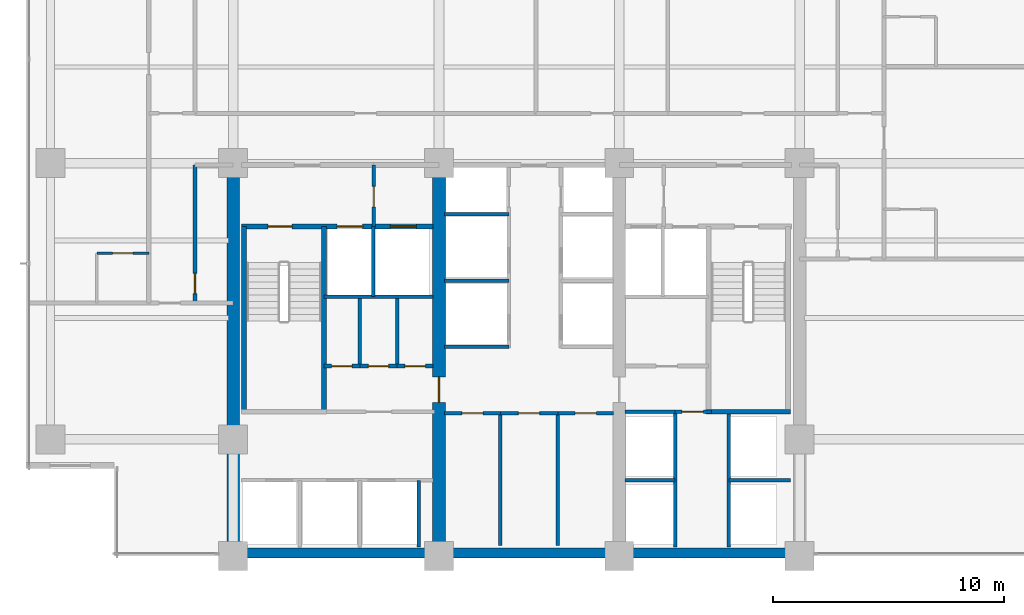
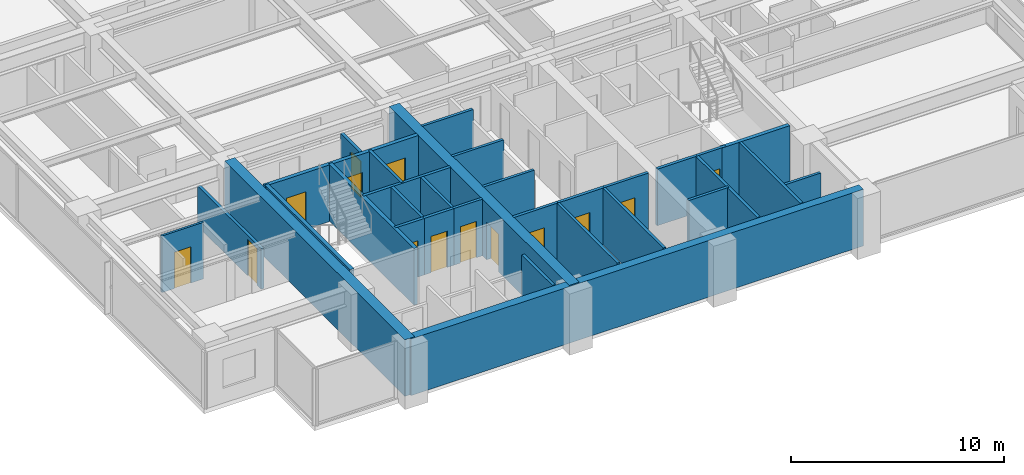
# One storey, part 8 of 16: 32 walls, 14 doors, 14 openings.
"""IFC4 building model written with IfcOpenShell, lengths in metres."""

import ifcopenshell
import ifcopenshell.guid

model = None  # the IFC model being written
_history = None  # IfcOwnerHistory: only IFC2X3 demands one
_inside = {}  # id of a spatial element -> (the spatial element, [elements in it])
_under = {}  # id of a project, library or spatial element -> (it, [spatial elements below it])
_declared = {}  # id of a project -> (the project, [libraries it declares])
_typed = {}  # id of a type object -> (the type object, [elements of that type])
_made_of = {}  # id of a material, layer set ... -> (it, [elements and type objects made of it])


def new_model(schema):
    """Start an empty IFC model of exactly this schema.

    Asked for "IFC4X3", IfcOpenShell would pick the latest addendum, in which some entities
    have other attributes; the version numbers below select the first issue.
    IFC2X3 requires an IfcOwnerHistory on every rooted entity: one is made here for all.
    """
    global model, _history
    if schema == "IFC4X3":
        model = ifcopenshell.file(schema_version=(4, 3, 0, 0))
    else:
        model = ifcopenshell.file(schema=schema)
    _inside.clear()
    _under.clear()
    _declared.clear()
    _typed.clear()
    _made_of.clear()
    _history = None
    if model.schema == "IFC2X3":
        org = make("IfcOrganization", Name="unknown")
        user = make(
            "IfcPersonAndOrganization",
            ThePerson=make("IfcPerson", FamilyName="unknown"),
            TheOrganization=org,
        )
        app = make(
            "IfcApplication",
            ApplicationDeveloper=org,
            Version="unknown",
            ApplicationFullName="unknown",
            ApplicationIdentifier="unknown",
        )
        _history = make(
            "IfcOwnerHistory",
            OwningUser=user,
            OwningApplication=app,
            ChangeAction="ADDED",
            CreationDate=0,
        )
    return model


def make(cls, **values):
    """One entity of the class cls with the attributes given. An attribute that is None is left unset."""
    return model.create_entity(
        cls, **{name: value for name, value in values.items() if value is not None}
    )


def rooted(cls, **values):
    """An entity with a GlobalId (a new one), such as an element, a storey or a relation."""
    return make(cls, GlobalId=ifcopenshell.guid.new(), OwnerHistory=_history, **values)


def si_unit(unit_type, name, prefix=None):
    """IfcSIUnit, for example si_unit("LENGTHUNIT", "METRE", prefix="MILLI")."""
    return make("IfcSIUnit", UnitType=unit_type, Prefix=prefix, Name=name)


def assignment(units):
    """IfcUnitAssignment: the units of a project."""
    return None if units is None else make("IfcUnitAssignment", Units=units)


def point(xyz):
    """IfcCartesianPoint."""
    return None if xyz is None else make("IfcCartesianPoint", Coordinates=xyz)


def direction(xyz):
    """IfcDirection."""
    return None if xyz is None else make("IfcDirection", DirectionRatios=xyz)


def frame(location, z_axis=None, x_axis=None):
    """IfcAxis2Placement3D, a coordinate frame: its origin and axes. An axis left out is left unset."""
    return make(
        "IfcAxis2Placement3D",
        Location=point(location),
        Axis=direction(z_axis),
        RefDirection=direction(x_axis),
    )


def frame_2d(location, x_axis=None):
    """IfcAxis2Placement2D, a coordinate frame in the plane: its origin and x axis."""
    return make(
        "IfcAxis2Placement2D", Location=point(location), RefDirection=direction(x_axis)
    )


def origin():
    """The frame at (0, 0, 0) with its axes left unset."""
    return frame((0.0, 0.0, 0.0))


def place(relative_to, where):
    """IfcLocalPlacement: puts the frame where relative to a parent placement (None: the world)."""
    return make(
        "IfcLocalPlacement", PlacementRelTo=relative_to, RelativePlacement=where
    )


def context(
    kind, dimensions, precision=None, world=None, true_north=None, identifier=None
):
    """IfcGeometricRepresentationContext, for example the 3D "Model" context."""
    return make(
        "IfcGeometricRepresentationContext",
        ContextIdentifier=identifier,
        ContextType=kind,
        CoordinateSpaceDimension=dimensions,
        Precision=precision,
        WorldCoordinateSystem=world,
        TrueNorth=true_north,
    )


def subcontext(parent, identifier, kind, view, scale=None):
    """IfcGeometricRepresentationSubContext, for example "Body" below "Model"."""
    return make(
        "IfcGeometricRepresentationSubContext",
        ContextIdentifier=identifier,
        ContextType=kind,
        ParentContext=parent,
        TargetScale=scale,
        TargetView=view,
    )


def project(units=None, contexts=None):
    """IfcProject with its units and contexts."""
    return rooted(
        "IfcProject",
        Name="project",
        RepresentationContexts=contexts,
        UnitsInContext=assignment(units),
    )


def spatial(cls, under=None, at=None, **own):
    """A site, building, storey or space (cls), placed at a placement, below another one or the project."""
    s = rooted(cls, ObjectPlacement=at, **own)
    if under is not None:
        _under.setdefault(under.id(), (under, []))[1].append(s)
    return s


def profile(cls, at=None, kind="AREA", **sizes):
    """A parametric profile (cls). Its sizes go by their IFC names, for example OverallWidth=200.0."""
    return make(cls, ProfileType=kind, Position=at, **sizes)


def rectangle(**sizes):
    """IfcRectangleProfileDef."""
    return profile("IfcRectangleProfileDef", **sizes)


def extrude(swept, where, along, depth):
    """IfcExtrudedAreaSolid: the profile swept, set in the frame where, extruded along a direction by depth."""
    return make(
        "IfcExtrudedAreaSolid",
        SweptArea=swept,
        Position=where,
        ExtrudedDirection=direction(along),
        Depth=depth,
    )


def shape(context_of_items, identifier, shape_type, items):
    """IfcShapeRepresentation: the items that make up one representation, for example the "Body"."""
    return make(
        "IfcShapeRepresentation",
        ContextOfItems=context_of_items,
        RepresentationIdentifier=identifier,
        RepresentationType=shape_type,
        Items=items,
    )


def material(Name=None, Category=None):
    """IfcMaterial."""
    return make("IfcMaterial", Name=Name, Category=Category)


def layer(
    of_material, thickness, ventilated=None, Name=None, Category=None, Priority=None
):
    """IfcMaterialLayer: one layer of a wall or slab, of a material (None: an air gap)."""
    return make(
        "IfcMaterialLayer",
        Material=of_material,
        LayerThickness=thickness,
        IsVentilated=ventilated,
        Name=Name,
        Category=Category,
        Priority=Priority,
    )


def layer_set(layers, Name=None):
    """IfcMaterialLayerSet."""
    return make("IfcMaterialLayerSet", MaterialLayers=layers, LayerSetName=Name)


def made_of(thing, what):
    """Note that an element or type object is made of a material, layer set ...; save() writes the relation."""
    if what is not None:
        _made_of.setdefault(what.id(), (what, []))[1].append(thing)
    return thing


def type_object(cls, material=None, **own):
    """A type object (cls), such as IfcWallType, which elements share."""
    return made_of(rooted(cls, **own), material)


def element(
    cls,
    number,
    at=None,
    inside=None,
    cuts=None,
    type_object=None,
    material=None,
    context=None,
    identifier="Body",
    shape_type=None,
    held_by="IfcProductDefinitionShape",
    body=None,
    shapes=None,
    **own,
):
    """One element of the class cls, such as IfcWall. Its Tag is "e" and its number.

    at: its placement. inside: the storey or other place that contains it. cuts: it is an
    opening in that element (IfcRelVoidsElement). A single representation is given by context,
    identifier, shape_type and body (its items); several are given by shapes. held_by: the class
    of the entity that holds the representations. save() writes the other relations.
    """
    e = rooted(cls, Tag="e%d" % number, ObjectPlacement=at, **own)
    if body is not None:
        shapes = [shape(context, identifier, shape_type, body)]
    if shapes is not None:
        e.Representation = make(held_by, Representations=shapes)
    if inside is not None:
        _inside.setdefault(inside.id(), (inside, []))[1].append(e)
    if cuts is not None:
        rooted(
            "IfcRelVoidsElement", RelatingBuildingElement=cuts, RelatedOpeningElement=e
        )
    if type_object is not None:
        _typed.setdefault(type_object.id(), (type_object, []))[1].append(e)
    return made_of(e, material)


def fill(opening, filler):
    """IfcRelFillsElement: the door or window that sits in an opening."""
    return rooted(
        "IfcRelFillsElement",
        RelatingOpeningElement=opening,
        RelatedBuildingElement=filler,
    )


def aggregate(whole, parts):
    """IfcRelAggregates: a whole, such as a stair, and the parts it consists of."""
    return rooted("IfcRelAggregates", RelatingObject=whole, RelatedObjects=parts)


def save(model, path):
    """Write the relations noted so far, then the file.

    IfcRelAggregates (storeys below a building ...), IfcRelContainedInSpatialStructure (elements
    in a storey), IfcRelDefinesByType, IfcRelAssociatesMaterial and IfcRelDeclares: one each for
    every whole, place, type object, material and project.
    """
    for whole, parts in _under.values():
        aggregate(whole, parts)
    for where, things in _inside.values():
        rooted(
            "IfcRelContainedInSpatialStructure",
            RelatedElements=things,
            RelatingStructure=where,
        )
    for kind, things in _typed.values():
        rooted("IfcRelDefinesByType", RelatedObjects=things, RelatingType=kind)
    for what, things in _made_of.values():
        rooted("IfcRelAssociatesMaterial", RelatedObjects=things, RelatingMaterial=what)
    for by, libraries in _declared.values():
        rooted("IfcRelDeclares", RelatingContext=by, RelatedDefinitions=libraries)
    model.write(path)


model = new_model("IFC4")

# Units and contexts
model_context = context("Model", 3, precision=1e-05, world=origin(), true_north=direction((0.0, 1.0)))
body_context = subcontext(model_context, "Body", "Model", "MODEL_VIEW")
ifc_project = project(units=[si_unit("LENGTHUNIT", "METRE"), si_unit("AREAUNIT", "SQUARE_METRE"), si_unit("VOLUMEUNIT", "CUBIC_METRE"), si_unit("PLANEANGLEUNIT", "RADIAN"), si_unit("MASSUNIT", "GRAM", prefix="KILO")], contexts=[model_context])

# Site, building, storey
site_placement = place(None, origin())
site = spatial("IfcSite", under=ifc_project, at=site_placement, CompositionType="ELEMENT")
building_placement = place(site_placement, origin())
building = spatial("IfcBuilding", under=site, at=building_placement, Name="Qalmaran Belvedere Hotel", CompositionType="ELEMENT")
storey_placement = place(building_placement, frame((0.0, 0.0, 123.199951171875)))
storey = spatial("IfcBuildingStorey", under=building, at=storey_placement, Name="L31", CompositionType="ELEMENT", Elevation=123.199951171875)

# Wall
ifc_material_1 = material(Name="Concrete C60/75", Category="concrete")
ifc_layer_1 = layer(ifc_material_1, 0.550048828125, Name="Concrete C60/75")
ifc_layer_set_1 = layer_set([ifc_layer_1], Name="Concrete C60/75")
wall_type_1 = type_object("IfcWallType", Name="WL-CORE-550-C60", PredefinedType="SHEAR", material=ifc_layer_set_1)
wall_1_placement = place(storey_placement, frame((20.300048828125, 3.5, 0.0), z_axis=(0.0, 0.0, 1.0), x_axis=(0.0, 1.0, 0.0)))
element("IfcWall", 1, at=wall_1_placement, inside=storey, type_object=wall_type_1, Name="L31 West Core Shear Wall", PredefinedType="SHEAR", context=body_context, shape_type="SweptSolid", body=[
    extrude(rectangle(XDim=16.89990234375, YDim=0.550048828125, at=frame_2d((8.449951171875, 0.0))), origin(), (0.0, 0.0, 1.0), 3.239990234375),
])

# Wall, opening, door
wall_2_placement = place(storey_placement, frame((29.199951171875, 3.5, 0.0), z_axis=(0.0, 0.0, 1.0), x_axis=(0.0, 1.0, 0.0)))
wall_2 = element("IfcWall", 2, at=wall_2_placement, inside=storey, type_object=wall_type_1, Name="L31 Core West Spine Shear Wall", PredefinedType="SHEAR", context=body_context, shape_type="SweptSolid", body=[
    extrude(rectangle(XDim=16.89990234375, YDim=0.550048828125, at=frame_2d((8.449951171875, 0.0))), origin(), (0.0, 0.0, 1.0), 3.239990234375),
])
opening_1_placement = place(wall_2_placement, frame((7.75, 0.0, 0.0), z_axis=(0.0, 0.0, 1.0), x_axis=(-1.0, 0.0, 0.0)))
opening_1 = element("IfcOpeningElement", 3, at=opening_1_placement, cuts=wall_2, Name="Opening FD90", PredefinedType="OPENING", context=body_context, shape_type="SweptSolid", body=[
    extrude(rectangle(XDim=1.10009765625, YDim=2.14990234375, at=frame_2d((0.550048828125, 1.074951171875))), frame((0.0, 0.28515625, 0.0), z_axis=(0.0, -1.0, 0.0), x_axis=(1.0, 0.0, 0.0)), (0.0, 0.0, 1.0), 0.570068359375),
])
ifc_material_2 = material(Name="Steel S355JR", Category="steel")
door_type_1 = type_object("IfcDoorType", Name="DR-FD90-1100X2150", OperationType="NOTDEFINED", PredefinedType="DOOR", material=ifc_material_2)
door_1_placement = place(opening_1_placement, origin())
door_1 = element("IfcDoor", 4, at=door_1_placement, inside=storey, type_object=door_type_1, Name="L31 Core West Cross-Lobby Door", OperationType="SINGLE_SWING_LEFT", OverallHeight=2.14990234375, OverallWidth=1.10009765625, PredefinedType="DOOR", context=body_context, shape_type="SweptSolid", body=[
    extrude(rectangle(XDim=1.10009765625, YDim=2.14990234375, at=frame_2d((0.550048828125, 1.074951171875))), frame((0.0, 0.02490234375, 0.0), z_axis=(0.0, -1.0, 0.0), x_axis=(1.0, 0.0, 0.0)), (0.0, 0.0, 1.0), 0.050048828125),
])
fill(opening_1, door_1)

# Wall
ifc_material_3 = material(Name="Concrete C50/60", Category="concrete")
ifc_layer_2 = layer(ifc_material_3, 0.43994140625, Name="Concrete C50/60")
ifc_layer_set_2 = layer_set([ifc_layer_2], Name="Concrete C50/60")
wall_type_2 = type_object("IfcWallType", Name="WL-CORES-440-EXT", PredefinedType="SHEAR", material=ifc_layer_set_2)
wall_3_placement = place(storey_placement, frame((20.300048828125, 3.6298828125, 0.0), z_axis=(0.0, 0.0, 1.0), x_axis=(1.0, 0.0, 0.0)))
element("IfcWall", 5, at=wall_3_placement, inside=storey, type_object=wall_type_2, Name="L31 South Core Shear Wall", PredefinedType="SHEAR", context=body_context, shape_type="SweptSolid", body=[
    extrude(rectangle(XDim=24.5, YDim=0.43994140625, at=frame_2d((12.25, 0.0))), origin(), (0.0, 0.0, 1.0), 3.239990234375),
])

# Wall, opening, door
ifc_material_4 = material(Name="Moisture-Resistant Gypsum")
ifc_layer_3 = layer(ifc_material_4, 0.1201171875, Name="Moisture-Resistant Gypsum")
ifc_layer_set_3 = layer_set([ifc_layer_3], Name="Moisture-Resistant Gypsum")
wall_type_3 = type_object("IfcWallType", Name="WL-INT-120-BATH", PredefinedType="PARTITIONING", material=ifc_layer_set_3)
wall_4_placement = place(storey_placement, frame((14.39990234375, 16.60009765625, 0.0), z_axis=(0.0, 0.0, 1.0), x_axis=(1.0, 0.0, 0.0)))
wall_4 = element("IfcWall", 6, at=wall_4_placement, inside=storey, type_object=wall_type_3, Name="L31 Partition WL-L31-WBN00", PredefinedType="PARTITIONING", context=body_context, shape_type="SweptSolid", body=[
    extrude(rectangle(XDim=2.25, YDim=0.1201171875, at=frame_2d((1.125, 0.0))), origin(), (0.0, 0.0, 1.0), 3.239990234375),
])
opening_2_placement = place(wall_4_placement, frame((1.56494140625, 0.0, 0.0), z_axis=(0.0, 0.0, 1.0), x_axis=(-1.0, 0.0, 0.0)))
opening_2 = element("IfcOpeningElement", 7, at=opening_2_placement, cuts=wall_4, Name="Opening D-BATH", PredefinedType="OPENING", context=body_context, shape_type="SweptSolid", body=[
    extrude(rectangle(XDim=0.8798828125, YDim=2.080078125, at=frame_2d((0.43994140625, 1.0400390625))), frame((0.0, 0.070068359375, 0.0), z_axis=(0.0, -1.0, 0.0), x_axis=(1.0, 0.0, 0.0)), (0.0, 0.0, 1.0), 0.14013671875),
])
ifc_material_5 = material(Name="Engineered Oak Veneer")
door_type_2 = type_object("IfcDoorType", Name="DR-INT-BATH-880X2080", OperationType="NOTDEFINED", PredefinedType="DOOR", material=ifc_material_5)
door_2_placement = place(opening_2_placement, origin())
door_2 = element("IfcDoor", 8, at=door_2_placement, inside=storey, type_object=door_type_2, Name="L31 W Ensuite Door 01", OperationType="SINGLE_SWING_RIGHT", OverallHeight=2.080078125, OverallWidth=0.8798828125, PredefinedType="DOOR", context=body_context, shape_type="SweptSolid", body=[
    extrude(rectangle(XDim=0.8798828125, YDim=2.080078125, at=frame_2d((0.43994140625, 1.0400390625))), frame((0.0, 0.02490234375, 0.0), z_axis=(0.0, -1.0, 0.0), x_axis=(1.0, 0.0, 0.0)), (0.0, 0.0, 1.0), 0.050048828125),
])
fill(opening_2, door_2)

# Walls
ifc_material_6 = material(Name="Gypsum Stud Partition")
ifc_layer_4 = layer(ifc_material_6, 0.14990234375, Name="Gypsum Stud Partition")
ifc_layer_set_4 = layer_set([ifc_layer_4], Name="Gypsum Stud Partition")
wall_type_4 = type_object("IfcWallType", Name="WL-INT-150-EI120", PredefinedType="PARTITIONING", material=ifc_layer_set_4)
wall_5_placement = place(storey_placement, frame((26.360107421875, 14.719970703125, 0.0), z_axis=(0.0, 0.0, 1.0), x_axis=(0.0, 1.0, 0.0)))
element("IfcWall", 9, at=wall_5_placement, inside=storey, type_object=wall_type_4, Name="L31 Partition WL-FF1M-L31", PredefinedType="PARTITIONING", context=body_context, shape_type="SweptSolid", body=[
    extrude(rectangle(XDim=3.0400390625, YDim=0.14990234375, at=frame_2d((1.52001953125, 0.0))), origin(), (0.0, 0.0, 1.0), 3.239990234375),
])
wall_6_placement = place(storey_placement, frame((28.320068359375, 3.89990234375, 0.0), z_axis=(0.0, 0.0, 1.0), x_axis=(0.0, 1.0, 0.0)))
element("IfcWall", 10, at=wall_6_placement, inside=storey, type_object=wall_type_4, Name="L31 Partition WL-POM3-L31", PredefinedType="PARTITIONING", context=body_context, shape_type="SweptSolid", body=[
    extrude(rectangle(XDim=2.880126953125, YDim=0.14990234375, at=frame_2d((1.43994140625, 0.0))), origin(), (0.0, 0.0, 1.0), 3.239990234375),
])
wall_7_placement = place(storey_placement, frame((37.25, 6.780029296875, 0.0), z_axis=(0.0, 0.0, 1.0), x_axis=(1.0, 0.0, 0.0)))
element("IfcWall", 11, at=wall_7_placement, inside=storey, type_object=wall_type_4, Name="L31 Partition WL-PHMW-L31", PredefinedType="PARTITIONING", context=body_context, shape_type="SweptSolid", body=[
    extrude(rectangle(XDim=2.169921875, YDim=0.14990234375, at=frame_2d((1.0849609375, 0.0))), origin(), (0.0, 0.0, 1.0), 3.239990234375),
])
wall_8_placement = place(storey_placement, frame((41.739990234375, 6.780029296875, 0.0), z_axis=(0.0, 0.0, 1.0), x_axis=(1.0, 0.0, 0.0)))
element("IfcWall", 12, at=wall_8_placement, inside=storey, type_object=wall_type_4, Name="L31 Partition WL-PHME-L31", PredefinedType="PARTITIONING", context=body_context, shape_type="SweptSolid", body=[
    extrude(rectangle(XDim=2.659912109375, YDim=0.14990234375, at=frame_2d((1.330078125, 0.0))), origin(), (0.0, 0.0, 1.0), 2.31298828125),
])
for number, where, z_axis, x_axis, name in (
    (13, (29.449951171875, 12.550048828125, 0.0), (0.0, 0.0, 1.0), (1.0, 0.0, 0.0), "L31 Partition WL-PMW-L31-125"),
    (14, (29.449951171875, 15.419921875, 0.0), (0.0, 0.0, 1.0), (1.0, 0.0, 0.0), "L31 Partition WL-PMW-L31-154"),
    (15, (29.449951171875, 18.280029296875, 0.0), (0.0, 0.0, 1.0), (1.0, 0.0, 0.0), "L31 Partition WL-PMW-L31-182"),
):
    element("IfcWall", number, at=place(storey_placement, frame(where, z_axis=z_axis, x_axis=x_axis)), inside=storey, type_object=wall_type_4, Name=name, PredefinedType="PARTITIONING", context=body_context, shape_type="SweptSolid", body=[
        extrude(rectangle(XDim=2.77001953125, YDim=0.14990234375, at=frame_2d((1.385009765625, 0.0))), origin(), (0.0, 0.0, 1.0), 3.239990234375),
    ])
ifc_layer_5 = layer(ifc_material_6, 0.14990234375, Name="Gypsum Stud Partition")
ifc_layer_set_5 = layer_set([ifc_layer_5], Name="Gypsum Stud Partition")
wall_type_5 = type_object("IfcWallType", Name="WL-INT-150-EI60", PredefinedType="PARTITIONING", material=ifc_layer_set_5)
for number, where, z_axis, x_axis, name in (
    (16, (25.781005859375, 11.719970703125, 0.0), (0.0, 0.0, 1.0), (0.0, 1.0, 0.0), "L31 Partition WL-L31-KWV1"),
    (17, (27.38916015625, 11.719970703125, 0.0), (0.0, 0.0, 1.0), (0.0, 1.0, 0.0), "L31 Partition WL-L31-KWV2"),
):
    element("IfcWall", number, at=place(storey_placement, frame(where, z_axis=z_axis, x_axis=x_axis)), inside=storey, type_object=wall_type_5, Name=name, PredefinedType="PARTITIONING", context=body_context, shape_type="SweptSolid", body=[
        extrude(rectangle(XDim=2.929931640625, YDim=0.14990234375, at=frame_2d((1.46484375, 0.0))), origin(), (0.0, 0.0, 1.0), 3.239990234375),
    ])
for number, where, z_axis, x_axis, name in (
    (18, (31.85888671875, 3.949951171875, 0.0), (0.0, 0.0, 1.0), (0.0, 1.0, 0.0), "L31 Partition WL-L31-KPLV1"),
    (19, (34.341064453125, 3.949951171875, 0.0), (0.0, 0.0, 1.0), (0.0, 1.0, 0.0), "L31 Partition WL-L31-KPLV2"),
):
    element("IfcWall", number, at=place(storey_placement, frame(where, z_axis=z_axis, x_axis=x_axis)), inside=storey, type_object=wall_type_5, Name=name, PredefinedType="PARTITIONING", context=body_context, shape_type="SweptSolid", body=[
        extrude(rectangle(XDim=5.72998046875, YDim=0.14990234375, at=frame_2d((2.864990234375, 0.0))), origin(), (0.0, 0.0, 1.0), 3.239990234375),
    ])

# Wall, opening, door
ifc_layer_6 = layer(ifc_material_6, 0.159912109375, Name="Gypsum Stud Partition")
ifc_layer_set_6 = layer_set([ifc_layer_6], Name="Gypsum Stud Partition")
wall_type_6 = type_object("IfcWallType", Name="WL-INT-160-EI120", PredefinedType="PARTITIONING", material=ifc_layer_set_6)
wall_9_placement = place(storey_placement, frame((26.3798828125, 17.760009765625, 0.0), z_axis=(0.0, 0.0, 1.0), x_axis=(0.0, 1.0, 0.0)))
wall_9 = element("IfcWall", 20, at=wall_9_placement, inside=storey, type_object=wall_type_6, Name="L31 Partition WL-FFSV1-L31", PredefinedType="PARTITIONING", context=body_context, shape_type="SweptSolid", body=[
    extrude(rectangle(XDim=2.659912109375, YDim=0.159912109375, at=frame_2d((1.330078125, 0.0))), origin(), (0.0, 0.0, 1.0), 2.614013671875),
])
opening_3_placement = place(wall_9_placement, frame((0.85009765625, 0.0, 0.0)))
opening_3 = element("IfcOpeningElement", 21, at=opening_3_placement, cuts=wall_9, Name="Opening FD60B", PredefinedType="OPENING", context=body_context, shape_type="SweptSolid", body=[
    extrude(rectangle(XDim=0.8798828125, YDim=2.080078125, at=frame_2d((0.43994140625, 1.0400390625))), frame((0.0, 0.08984375, 0.0), z_axis=(0.0, -1.0, 0.0), x_axis=(1.0, 0.0, 0.0)), (0.0, 0.0, 1.0), 0.179931640625),
])
door_type_3 = type_object("IfcDoorType", Name="DR-FD60B-880X2080", OperationType="NOTDEFINED", PredefinedType="DOOR", material=ifc_material_2)
door_3_placement = place(opening_3_placement, origin())
door_3 = element("IfcDoor", 22, at=door_3_placement, inside=storey, type_object=door_type_3, Name="L31 Service Lobby West Door", OperationType="SINGLE_SWING_LEFT", OverallHeight=2.080078125, OverallWidth=0.8798828125, PredefinedType="DOOR", context=body_context, shape_type="SweptSolid", body=[
    extrude(rectangle(XDim=0.8798828125, YDim=2.080078125, at=frame_2d((0.43994140625, 1.0400390625))), frame((0.0, 0.02490234375, 0.0), z_axis=(0.0, -1.0, 0.0), x_axis=(1.0, 0.0, 0.0)), (0.0, 0.0, 1.0), 0.050048828125),
])
fill(opening_3, door_3)

# Walls
wall_10_placement = place(storey_placement, frame((24.219970703125, 14.719970703125, 0.0), z_axis=(0.0, 0.0, 1.0), x_axis=(1.0, 0.0, 0.0)))
element("IfcWall", 23, at=wall_10_placement, inside=storey, type_object=wall_type_6, Name="L31 Partition WL-FF1S-L31", PredefinedType="PARTITIONING", context=body_context, shape_type="SweptSolid", body=[
    extrude(rectangle(XDim=4.72998046875, YDim=0.159912109375, at=frame_2d((2.364990234375, 0.0))), origin(), (0.0, 0.0, 1.0), 3.239990234375),
])
for number, where, z_axis, x_axis, name in (
    (24, (39.419921875, 3.89990234375, 0.0), (0.0, 0.0, 1.0), (0.0, 1.0, 0.0), "L31 Partition WL-PHW-L31"),
    (25, (41.739990234375, 3.89990234375, 0.0), (0.0, 0.0, 1.0), (0.0, 1.0, 0.0), "L31 Partition WL-PHE-L31"),
):
    element("IfcWall", number, at=place(storey_placement, frame(where, z_axis=z_axis, x_axis=x_axis)), inside=storey, type_object=wall_type_6, Name=name, PredefinedType="PARTITIONING", context=body_context, shape_type="SweptSolid", body=[
        extrude(rectangle(XDim=5.840087890625, YDim=0.159912109375, at=frame_2d((2.919921875, 0.0))), origin(), (0.0, 0.0, 1.0), 3.239990234375),
    ])
wall_11_placement = place(storey_placement, frame((37.25, 9.739990234375, 0.0), z_axis=(0.0, 0.0, 1.0), x_axis=(1.0, 0.0, 0.0)))
element("IfcWall", 26, at=wall_11_placement, inside=storey, type_object=wall_type_6, Name="L31 Partition WL-PHNW-L31", PredefinedType="PARTITIONING", context=body_context, shape_type="SweptSolid", body=[
    extrude(rectangle(XDim=2.169921875, YDim=0.159912109375, at=frame_2d((1.0849609375, 0.0))), origin(), (0.0, 0.0, 1.0), 3.239990234375),
])

# Wall, opening, door
wall_12_placement = place(storey_placement, frame((39.419921875, 9.739990234375, 0.0), z_axis=(0.0, 0.0, 1.0), x_axis=(1.0, 0.0, 0.0)))
wall_12 = element("IfcWall", 27, at=wall_12_placement, inside=storey, type_object=wall_type_6, Name="L31 Partition WL-PHNL-L31", PredefinedType="PARTITIONING", context=body_context, shape_type="SweptSolid", body=[
    extrude(rectangle(XDim=1.56005859375, YDim=0.159912109375, at=frame_2d((0.780029296875, 0.0))), origin(), (0.0, 0.0, 1.0), 3.239990234375),
])
opening_4_placement = place(wall_12_placement, frame((0.300048828125, 0.0, 0.0)))
opening_4 = element("IfcOpeningElement", 28, at=opening_4_placement, cuts=wall_12, Name="Opening FD60S1", PredefinedType="OPENING", context=body_context, shape_type="SweptSolid", body=[
    extrude(rectangle(XDim=0.919921875, YDim=2.080078125, at=frame_2d((0.4599609375, 1.0400390625))), frame((0.0, 0.08984375, 0.0), z_axis=(0.0, -1.0, 0.0), x_axis=(1.0, 0.0, 0.0)), (0.0, 0.0, 1.0), 0.179931640625),
])
door_type_4 = type_object("IfcDoorType", Name="DR-FD60S-920X2080", OperationType="NOTDEFINED", PredefinedType="DOOR", material=ifc_material_5)
door_4_placement = place(opening_4_placement, origin())
door_4 = element("IfcDoor", 29, at=door_4_placement, inside=storey, type_object=door_type_4, Name="L31 High-Rise Lift Lobby Passage Door", OperationType="SINGLE_SWING_LEFT", OverallHeight=2.080078125, OverallWidth=0.919921875, PredefinedType="DOOR", context=body_context, shape_type="SweptSolid", body=[
    extrude(rectangle(XDim=0.919921875, YDim=2.080078125, at=frame_2d((0.4599609375, 1.0400390625))), frame((0.0, 0.02490234375, 0.0), z_axis=(0.0, -1.0, 0.0), x_axis=(1.0, 0.0, 0.0)), (0.0, 0.0, 1.0), 0.050048828125),
])
fill(opening_4, door_4)

ifc_layer_7 = layer(ifc_material_6, 0.159912109375, Name="Gypsum Stud Partition")
ifc_layer_set_7 = layer_set([ifc_layer_7], Name="Gypsum Stud Partition")
wall_type_7 = type_object("IfcWallType", Name="WL-INT-160-EI60", PredefinedType="PARTITIONING", material=ifc_layer_set_7)
wall_13_placement = place(storey_placement, frame((24.219970703125, 11.719970703125, 0.0), z_axis=(0.0, 0.0, 1.0), x_axis=(1.0, 0.0, 0.0)))
wall_13 = element("IfcWall", 30, at=wall_13_placement, inside=storey, type_object=wall_type_7, Name="L31 Partition WL-L31-KWE1", PredefinedType="PARTITIONING", context=body_context, shape_type="SweptSolid", body=[
    extrude(rectangle(XDim=1.56103515625, YDim=0.159912109375, at=frame_2d((0.780517578125, 0.0))), origin(), (0.0, 0.0, 1.0), 3.239990234375),
])
opening_5_placement = place(wall_13_placement, frame((0.340576171875, 0.0, 0.0)))
opening_5 = element("IfcOpeningElement", 31, at=opening_5_placement, cuts=wall_13, Name="Opening FD60B", PredefinedType="OPENING", context=body_context, shape_type="SweptSolid", body=[
    extrude(rectangle(XDim=0.8798828125, YDim=2.080078125, at=frame_2d((0.43994140625, 1.0400390625))), frame((0.0, 0.08984375, 0.0), z_axis=(0.0, -1.0, 0.0), x_axis=(1.0, 0.0, 0.0)), (0.0, 0.0, 1.0), 0.179931640625),
])
door_5_placement = place(opening_5_placement, origin())
door_5 = element("IfcDoor", 32, at=door_5_placement, inside=storey, type_object=door_type_3, Name="L31 Staff Core WC Door", OperationType="SINGLE_SWING_RIGHT", OverallHeight=2.080078125, OverallWidth=0.8798828125, PredefinedType="DOOR", context=body_context, shape_type="SweptSolid", body=[
    extrude(rectangle(XDim=0.8798828125, YDim=2.080078125, at=frame_2d((0.43994140625, 1.0400390625))), frame((0.0, 0.02490234375, 0.0), z_axis=(0.0, -1.0, 0.0), x_axis=(1.0, 0.0, 0.0)), (0.0, 0.0, 1.0), 0.050048828125),
])
fill(opening_5, door_5)

wall_14_placement = place(storey_placement, frame((25.781005859375, 11.719970703125, 0.0), z_axis=(0.0, 0.0, 1.0), x_axis=(1.0, 0.0, 0.0)))
wall_14 = element("IfcWall", 33, at=wall_14_placement, inside=storey, type_object=wall_type_7, Name="L31 Partition WL-L31-KWE2", PredefinedType="PARTITIONING", context=body_context, shape_type="SweptSolid", body=[
    extrude(rectangle(XDim=1.608154296875, YDim=0.159912109375, at=frame_2d((0.80419921875, 0.0))), origin(), (0.0, 0.0, 1.0), 3.239990234375),
])
opening_6_placement = place(wall_14_placement, frame((0.364013671875, 0.0, 0.0)))
opening_6 = element("IfcOpeningElement", 34, at=opening_6_placement, cuts=wall_14, Name="Opening FD60B", PredefinedType="OPENING", context=body_context, shape_type="SweptSolid", body=[
    extrude(rectangle(XDim=0.8798828125, YDim=2.080078125, at=frame_2d((0.43994140625, 1.0400390625))), frame((0.0, 0.08984375, 0.0), z_axis=(0.0, -1.0, 0.0), x_axis=(1.0, 0.0, 0.0)), (0.0, 0.0, 1.0), 0.179931640625),
])
door_6_placement = place(opening_6_placement, origin())
door_6 = element("IfcDoor", 35, at=door_6_placement, inside=storey, type_object=door_type_3, Name="L31 Electrical Distribution Room Door", OperationType="SINGLE_SWING_LEFT", OverallHeight=2.080078125, OverallWidth=0.8798828125, PredefinedType="DOOR", context=body_context, shape_type="SweptSolid", body=[
    extrude(rectangle(XDim=0.8798828125, YDim=2.080078125, at=frame_2d((0.43994140625, 1.0400390625))), frame((0.0, 0.02490234375, 0.0), z_axis=(0.0, -1.0, 0.0), x_axis=(1.0, 0.0, 0.0)), (0.0, 0.0, 1.0), 0.050048828125),
])
fill(opening_6, door_6)

wall_15_placement = place(storey_placement, frame((27.38916015625, 11.719970703125, 0.0), z_axis=(0.0, 0.0, 1.0), x_axis=(1.0, 0.0, 0.0)))
wall_15 = element("IfcWall", 36, at=wall_15_placement, inside=storey, type_object=wall_type_7, Name="L31 Partition WL-L31-KWE3", PredefinedType="PARTITIONING", context=body_context, shape_type="SweptSolid", body=[
    extrude(rectangle(XDim=1.560791015625, YDim=0.159912109375, at=frame_2d((0.7802734375, 0.0))), origin(), (0.0, 0.0, 1.0), 3.239990234375),
])
opening_7_placement = place(wall_15_placement, frame((0.340576171875, 0.0, 0.0)))
opening_7 = element("IfcOpeningElement", 37, at=opening_7_placement, cuts=wall_15, Name="Opening FD60B", PredefinedType="OPENING", context=body_context, shape_type="SweptSolid", body=[
    extrude(rectangle(XDim=0.8798828125, YDim=2.080078125, at=frame_2d((0.43994140625, 1.0400390625))), frame((0.0, 0.08984375, 0.0), z_axis=(0.0, -1.0, 0.0), x_axis=(1.0, 0.0, 0.0)), (0.0, 0.0, 1.0), 0.179931640625),
])
door_7_placement = place(opening_7_placement, origin())
door_7 = element("IfcDoor", 38, at=door_7_placement, inside=storey, type_object=door_type_3, Name="L31 Telecom and IT Room Door", OperationType="SINGLE_SWING_RIGHT", OverallHeight=2.080078125, OverallWidth=0.8798828125, PredefinedType="DOOR", context=body_context, shape_type="SweptSolid", body=[
    extrude(rectangle(XDim=0.8798828125, YDim=2.080078125, at=frame_2d((0.43994140625, 1.0400390625))), frame((0.0, 0.02490234375, 0.0), z_axis=(0.0, -1.0, 0.0), x_axis=(1.0, 0.0, 0.0)), (0.0, 0.0, 1.0), 0.050048828125),
])
fill(opening_7, door_7)

wall_16_placement = place(storey_placement, frame((29.449951171875, 9.679931640625, 0.0), z_axis=(0.0, 0.0, 1.0), x_axis=(1.0, 0.0, 0.0)))
wall_16 = element("IfcWall", 39, at=wall_16_placement, inside=storey, type_object=wall_type_7, Name="L31 Partition WL-L31-KPLE1", PredefinedType="PARTITIONING", context=body_context, shape_type="SweptSolid", body=[
    extrude(rectangle(XDim=2.408935546875, YDim=0.159912109375, at=frame_2d((1.20458984375, 0.0))), origin(), (0.0, 0.0, 1.0), 3.239990234375),
])
opening_8_placement = place(wall_16_placement, frame((1.664306640625, 0.0, 0.0), z_axis=(0.0, 0.0, 1.0), x_axis=(-1.0, 0.0, 0.0)))
opening_8 = element("IfcOpeningElement", 40, at=opening_8_placement, cuts=wall_16, Name="Opening FD60S1", PredefinedType="OPENING", context=body_context, shape_type="SweptSolid", body=[
    extrude(rectangle(XDim=0.919921875, YDim=2.080078125, at=frame_2d((0.4599609375, 1.0400390625))), frame((0.0, 0.08984375, 0.0), z_axis=(0.0, -1.0, 0.0), x_axis=(1.0, 0.0, 0.0)), (0.0, 0.0, 1.0), 0.179931640625),
])
door_8_placement = place(opening_8_placement, origin())
door_8 = element("IfcDoor", 41, at=door_8_placement, inside=storey, type_object=door_type_4, Name="L31 Housekeeping and Linen Room Door", OperationType="SINGLE_SWING_RIGHT", OverallHeight=2.080078125, OverallWidth=0.919921875, PredefinedType="DOOR", context=body_context, shape_type="SweptSolid", body=[
    extrude(rectangle(XDim=0.919921875, YDim=2.080078125, at=frame_2d((0.4599609375, 1.0400390625))), frame((0.0, 0.02490234375, 0.0), z_axis=(0.0, -1.0, 0.0), x_axis=(1.0, 0.0, 0.0)), (0.0, 0.0, 1.0), 0.050048828125),
])
fill(opening_8, door_8)

wall_17_placement = place(storey_placement, frame((31.85888671875, 9.679931640625, 0.0), z_axis=(0.0, 0.0, 1.0), x_axis=(1.0, 0.0, 0.0)))
wall_17 = element("IfcWall", 42, at=wall_17_placement, inside=storey, type_object=wall_type_7, Name="L31 Partition WL-L31-KPLE2", PredefinedType="PARTITIONING", context=body_context, shape_type="SweptSolid", body=[
    extrude(rectangle(XDim=2.482177734375, YDim=0.159912109375, at=frame_2d((1.2412109375, 0.0))), origin(), (0.0, 0.0, 1.0), 3.239990234375),
])
opening_9_placement = place(wall_17_placement, frame((1.700927734375, 0.0, 0.0), z_axis=(0.0, 0.0, 1.0), x_axis=(-1.0, 0.0, 0.0)))
opening_9 = element("IfcOpeningElement", 43, at=opening_9_placement, cuts=wall_17, Name="Opening FD60S1", PredefinedType="OPENING", context=body_context, shape_type="SweptSolid", body=[
    extrude(rectangle(XDim=0.919921875, YDim=2.080078125, at=frame_2d((0.4599609375, 1.0400390625))), frame((0.0, 0.08984375, 0.0), z_axis=(0.0, -1.0, 0.0), x_axis=(1.0, 0.0, 0.0)), (0.0, 0.0, 1.0), 0.179931640625),
])
door_9_placement = place(opening_9_placement, origin())
door_9 = element("IfcDoor", 44, at=door_9_placement, inside=storey, type_object=door_type_4, Name="L31 Hotel Butler Service Pantry Door", OperationType="SINGLE_SWING_LEFT", OverallHeight=2.080078125, OverallWidth=0.919921875, PredefinedType="DOOR", context=body_context, shape_type="SweptSolid", body=[
    extrude(rectangle(XDim=0.919921875, YDim=2.080078125, at=frame_2d((0.4599609375, 1.0400390625))), frame((0.0, 0.02490234375, 0.0), z_axis=(0.0, -1.0, 0.0), x_axis=(1.0, 0.0, 0.0)), (0.0, 0.0, 1.0), 0.050048828125),
])
fill(opening_9, door_9)

wall_18_placement = place(storey_placement, frame((34.341064453125, 9.679931640625, 0.0), z_axis=(0.0, 0.0, 1.0), x_axis=(1.0, 0.0, 0.0)))
wall_18 = element("IfcWall", 45, at=wall_18_placement, inside=storey, type_object=wall_type_7, Name="L31 Partition WL-L31-KPLE3", PredefinedType="PARTITIONING", context=body_context, shape_type="SweptSolid", body=[
    extrude(rectangle(XDim=2.408935546875, YDim=0.159912109375, at=frame_2d((1.20458984375, 0.0))), origin(), (0.0, 0.0, 1.0), 3.239990234375),
])
opening_10_placement = place(wall_18_placement, frame((1.664306640625, 0.0, 0.0), z_axis=(0.0, 0.0, 1.0), x_axis=(-1.0, 0.0, 0.0)))
opening_10 = element("IfcOpeningElement", 46, at=opening_10_placement, cuts=wall_18, Name="Opening FD60S1", PredefinedType="OPENING", context=body_context, shape_type="SweptSolid", body=[
    extrude(rectangle(XDim=0.919921875, YDim=2.080078125, at=frame_2d((0.4599609375, 1.0400390625))), frame((0.0, 0.08984375, 0.0), z_axis=(0.0, -1.0, 0.0), x_axis=(1.0, 0.0, 0.0)), (0.0, 0.0, 1.0), 0.179931640625),
])
door_10_placement = place(opening_10_placement, origin())
door_10 = element("IfcDoor", 47, at=door_10_placement, inside=storey, type_object=door_type_4, Name="L31 Guest Valet Supply Store Door", OperationType="SINGLE_SWING_RIGHT", OverallHeight=2.080078125, OverallWidth=0.919921875, PredefinedType="DOOR", context=body_context, shape_type="SweptSolid", body=[
    extrude(rectangle(XDim=0.919921875, YDim=2.080078125, at=frame_2d((0.4599609375, 1.0400390625))), frame((0.0, 0.02490234375, 0.0), z_axis=(0.0, -1.0, 0.0), x_axis=(1.0, 0.0, 0.0)), (0.0, 0.0, 1.0), 0.050048828125),
])
fill(opening_10, door_10)

wall_19_placement = place(storey_placement, frame((18.64990234375, 14.449951171875, 0.0), z_axis=(0.0, 0.0, 1.0), x_axis=(0.0, 1.0, 0.0)))
wall_19 = element("IfcWall", 48, at=wall_19_placement, inside=storey, type_object=wall_type_7, Name="L31 Partition WL-L31-WCL", PredefinedType="PARTITIONING", context=body_context, shape_type="SweptSolid", body=[
    extrude(rectangle(XDim=5.969970703125, YDim=0.159912109375, at=frame_2d((2.98486328125, 0.0))), origin(), (0.0, 0.0, 1.0), 2.31298828125),
])
opening_11_placement = place(wall_19_placement, frame((1.27978515625, 0.0, 0.0), z_axis=(0.0, 0.0, 1.0), x_axis=(-1.0, 0.0, 0.0)))
opening_11 = element("IfcOpeningElement", 49, at=opening_11_placement, cuts=wall_19, Name="Opening FD60B", PredefinedType="OPENING", context=body_context, shape_type="SweptSolid", body=[
    extrude(rectangle(XDim=0.8798828125, YDim=2.080078125, at=frame_2d((0.43994140625, 1.0400390625))), frame((0.0, 0.08984375, 0.0), z_axis=(0.0, -1.0, 0.0), x_axis=(1.0, 0.0, 0.0)), (0.0, 0.0, 1.0), 0.179931640625),
])
door_11_placement = place(opening_11_placement, origin())
door_11 = element("IfcDoor", 50, at=door_11_placement, inside=storey, type_object=door_type_3, Name="L31 West Closet Door", OperationType="SINGLE_SWING_LEFT", OverallHeight=2.080078125, OverallWidth=0.8798828125, PredefinedType="DOOR", context=body_context, shape_type="SweptSolid", body=[
    extrude(rectangle(XDim=0.8798828125, YDim=2.080078125, at=frame_2d((0.43994140625, 1.0400390625))), frame((0.0, 0.02490234375, 0.0), z_axis=(0.0, -1.0, 0.0), x_axis=(1.0, 0.0, 0.0)), (0.0, 0.0, 1.0), 0.050048828125),
])
fill(opening_11, door_11)

# Walls
ifc_layer_8 = layer(ifc_material_3, 0.2099609375, Name="Concrete C50/60")
ifc_layer_set_8 = layer_set([ifc_layer_8], Name="Concrete C50/60")
wall_type_8 = type_object("IfcWallType", Name="WL-STAIR-210-C50", PredefinedType="SHEAR", material=ifc_layer_set_8)
for number, where, z_axis, x_axis, name in (
    (51, (20.77490234375, 9.7451171875, 0.0), (0.0, 0.0, 1.0), (0.0, 1.0, 0.0), "L31 Stair ST-1 West Bearing Wall"),
    (52, (24.22509765625, 9.7451171875, 0.0), (0.0, 0.0, 1.0), (0.0, 1.0, 0.0), "L31 Stair ST-1 East Bearing Wall"),
):
    element("IfcWall", number, at=place(storey_placement, frame(where, z_axis=z_axis, x_axis=x_axis)), inside=storey, type_object=wall_type_8, Name=name, PredefinedType="SHEAR", context=body_context, shape_type="SweptSolid", body=[
        extrude(rectangle(XDim=8.009765625, YDim=0.2099609375, at=frame_2d((4.0048828125, 0.0))), origin(), (0.0, 0.0, 1.0), 3.239990234375),
    ])

# Wall, openings, doors
wall_20_placement = place(storey_placement, frame((20.64990234375, 17.7548828125, 0.0), z_axis=(0.0, 0.0, 1.0), x_axis=(1.0, 0.0, 0.0)))
wall_20 = element("IfcWall", 53, at=wall_20_placement, inside=storey, type_object=wall_type_8, Name="L31 West Lobby and Stair ST-1 North Bearing Wall", PredefinedType="SHEAR", context=body_context, shape_type="SweptSolid", body=[
    extrude(rectangle(XDim=8.300048828125, YDim=0.2099609375, at=frame_2d((4.14990234375, 0.0))), origin(), (0.0, 0.0, 1.0), 3.239990234375),
])
opening_12_placement = place(wall_20_placement, frame((2.199951171875, 0.0, 0.0), z_axis=(0.0, 0.0, 1.0), x_axis=(-1.0, 0.0, 0.0)))
opening_12 = element("IfcOpeningElement", 54, at=opening_12_placement, cuts=wall_20, Name="Opening FD90S2", PredefinedType="OPENING", context=body_context, shape_type="SweptSolid", body=[
    extrude(rectangle(XDim=1.050048828125, YDim=2.14990234375, at=frame_2d((0.52490234375, 1.074951171875))), frame((0.0, 0.114990234375, 0.0), z_axis=(0.0, -1.0, 0.0), x_axis=(1.0, 0.0, 0.0)), (0.0, 0.0, 1.0), 0.22998046875),
])
opening_13_placement = place(wall_20_placement, frame((4.14990234375, 0.0, 0.0)))
opening_13 = element("IfcOpeningElement", 55, at=opening_13_placement, cuts=wall_20, Name="Opening LD-FF", PredefinedType="OPENING", context=body_context, shape_type="SweptSolid", body=[
    extrude(rectangle(XDim=1.10009765625, YDim=2.179931640625, at=frame_2d((0.550048828125, 1.08984375))), frame((0.0, 0.114990234375, 0.0), z_axis=(0.0, -1.0, 0.0), x_axis=(1.0, 0.0, 0.0)), (0.0, 0.0, 1.0), 0.22998046875),
])
opening_14_placement = place(wall_20_placement, frame((6.449951171875, 0.0, 0.0)))
opening_14 = element("IfcOpeningElement", 56, at=opening_14_placement, cuts=wall_20, Name="Opening LD-SV", PredefinedType="OPENING", context=body_context, shape_type="SweptSolid", body=[
    extrude(rectangle(XDim=1.1201171875, YDim=2.199951171875, at=frame_2d((0.56005859375, 1.10009765625))), frame((0.0, 0.114990234375, 0.0), z_axis=(0.0, -1.0, 0.0), x_axis=(1.0, 0.0, 0.0)), (0.0, 0.0, 1.0), 0.22998046875),
])
door_type_5 = type_object("IfcDoorType", Name="DR-FD90S-1050X2150", OperationType="NOTDEFINED", PredefinedType="DOOR", material=ifc_material_2)
door_12_placement = place(opening_12_placement, origin())
door_12 = element("IfcDoor", 57, at=door_12_placement, inside=storey, type_object=door_type_5, Name="L31 Stair ST-1 Door", OperationType="SINGLE_SWING_LEFT", OverallHeight=2.14990234375, OverallWidth=1.050048828125, PredefinedType="DOOR", context=body_context, shape_type="SweptSolid", body=[
    extrude(rectangle(XDim=1.050048828125, YDim=2.14990234375, at=frame_2d((0.52490234375, 1.074951171875))), frame((0.0, 0.02490234375, 0.0), z_axis=(0.0, -1.0, 0.0), x_axis=(1.0, 0.0, 0.0)), (0.0, 0.0, 1.0), 0.050048828125),
])
fill(opening_12, door_12)
ifc_material_7 = material(Name="Stainless Steel 1.4401", Category="steel")
door_type_6 = type_object("IfcDoorType", Name="DR-LIFT-FF-1100X2180", OperationType="DOUBLE_DOOR_SLIDING", PredefinedType="DOOR", material=ifc_material_7)
door_13_placement = place(opening_13_placement, origin())
door_13 = element("IfcDoor", 58, at=door_13_placement, inside=storey, type_object=door_type_6, Name="L31 FF1 Lift Landing Door", OperationType="DOUBLE_DOOR_SLIDING", OverallHeight=2.179931640625, OverallWidth=1.10009765625, PredefinedType="DOOR", context=body_context, shape_type="SweptSolid", body=[
    extrude(rectangle(XDim=1.10009765625, YDim=2.179931640625, at=frame_2d((0.550048828125, 1.08984375))), frame((0.0, 0.02490234375, 0.0), z_axis=(0.0, -1.0, 0.0), x_axis=(1.0, 0.0, 0.0)), (0.0, 0.0, 1.0), 0.050048828125),
])
fill(opening_13, door_13)
door_type_7 = type_object("IfcDoorType", Name="DR-LIFT-SV-1120X2200", OperationType="DOUBLE_DOOR_SLIDING", PredefinedType="DOOR", material=ifc_material_7)
door_14_placement = place(opening_14_placement, origin())
door_14 = element("IfcDoor", 59, at=door_14_placement, inside=storey, type_object=door_type_7, Name="L31 SV1 Lift Landing Door", OperationType="DOUBLE_DOOR_SLIDING", OverallHeight=2.199951171875, OverallWidth=1.1201171875, PredefinedType="DOOR", context=body_context, shape_type="SweptSolid", body=[
    extrude(rectangle(XDim=1.1201171875, YDim=2.199951171875, at=frame_2d((0.56005859375, 1.10009765625))), frame((0.0, 0.02490234375, 0.0), z_axis=(0.0, -1.0, 0.0), x_axis=(1.0, 0.0, 0.0)), (0.0, 0.0, 1.0), 0.050048828125),
])
fill(opening_14, door_14)

# Wall
wall_21_placement = place(storey_placement, frame((40.75, 9.7451171875, 0.0), z_axis=(0.0, 0.0, 1.0), x_axis=(1.0, 0.0, 0.0)))
element("IfcWall", 60, at=wall_21_placement, inside=storey, type_object=wall_type_8, Name="L31 Stair ST-2 South Bearing Wall", PredefinedType="SHEAR", context=body_context, shape_type="SweptSolid", body=[
    extrude(rectangle(XDim=3.659912109375, YDim=0.2099609375, at=frame_2d((1.830078125, 0.0))), origin(), (0.0, 0.0, 1.0), 3.239990234375),
])

save(model, "model.ifc")
